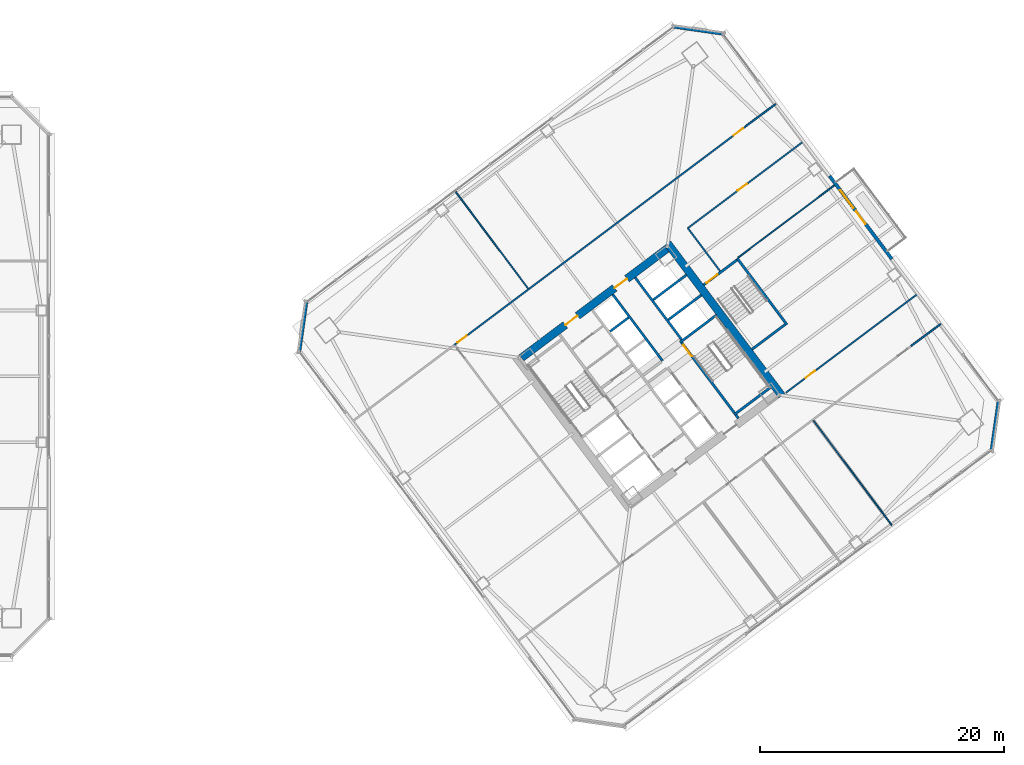
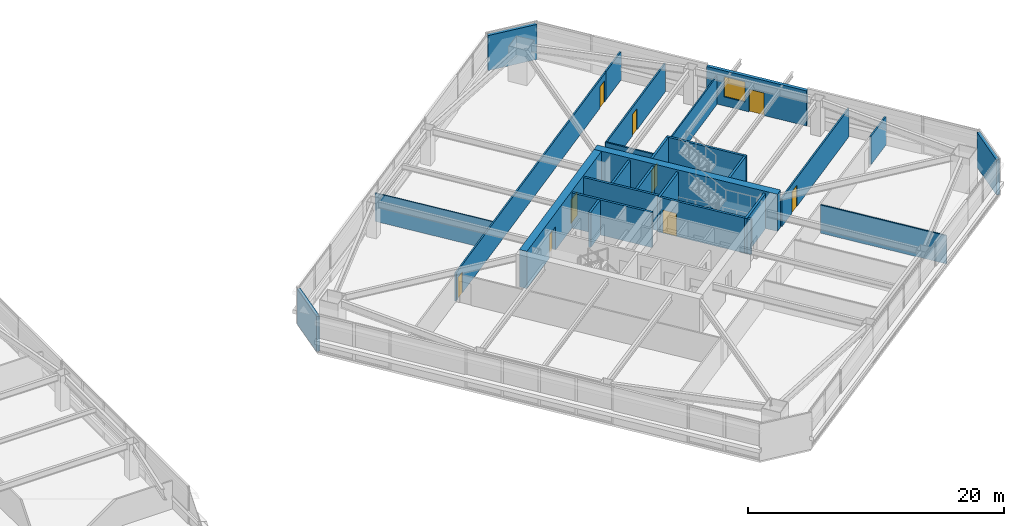
# One storey, part 38 of 47: 26 walls, 9 doors, 1 window, 10 openings.
"""IFC4 building model written with IfcOpenShell, lengths in metres."""

import ifcopenshell
import ifcopenshell.guid

model = None  # the IFC model being written
_history = None  # IfcOwnerHistory: only IFC2X3 demands one
_inside = {}  # id of a spatial element -> (the spatial element, [elements in it])
_under = {}  # id of a project, library or spatial element -> (it, [spatial elements below it])
_declared = {}  # id of a project -> (the project, [libraries it declares])
_typed = {}  # id of a type object -> (the type object, [elements of that type])
_made_of = {}  # id of a material, layer set ... -> (it, [elements and type objects made of it])


def new_model(schema):
    """Start an empty IFC model of exactly this schema.

    Asked for "IFC4X3", IfcOpenShell would pick the latest addendum, in which some entities
    have other attributes; the version numbers below select the first issue.
    IFC2X3 requires an IfcOwnerHistory on every rooted entity: one is made here for all.
    """
    global model, _history
    if schema == "IFC4X3":
        model = ifcopenshell.file(schema_version=(4, 3, 0, 0))
    else:
        model = ifcopenshell.file(schema=schema)
    _inside.clear()
    _under.clear()
    _declared.clear()
    _typed.clear()
    _made_of.clear()
    _history = None
    if model.schema == "IFC2X3":
        org = make("IfcOrganization", Name="unknown")
        user = make(
            "IfcPersonAndOrganization",
            ThePerson=make("IfcPerson", FamilyName="unknown"),
            TheOrganization=org,
        )
        app = make(
            "IfcApplication",
            ApplicationDeveloper=org,
            Version="unknown",
            ApplicationFullName="unknown",
            ApplicationIdentifier="unknown",
        )
        _history = make(
            "IfcOwnerHistory",
            OwningUser=user,
            OwningApplication=app,
            ChangeAction="ADDED",
            CreationDate=0,
        )
    return model


def make(cls, **values):
    """One entity of the class cls with the attributes given. An attribute that is None is left unset."""
    return model.create_entity(
        cls, **{name: value for name, value in values.items() if value is not None}
    )


def rooted(cls, **values):
    """An entity with a GlobalId (a new one), such as an element, a storey or a relation."""
    return make(cls, GlobalId=ifcopenshell.guid.new(), OwnerHistory=_history, **values)


def si_unit(unit_type, name, prefix=None):
    """IfcSIUnit, for example si_unit("LENGTHUNIT", "METRE", prefix="MILLI")."""
    return make("IfcSIUnit", UnitType=unit_type, Prefix=prefix, Name=name)


def assignment(units):
    """IfcUnitAssignment: the units of a project."""
    return None if units is None else make("IfcUnitAssignment", Units=units)


def point(xyz):
    """IfcCartesianPoint."""
    return None if xyz is None else make("IfcCartesianPoint", Coordinates=xyz)


def direction(xyz):
    """IfcDirection."""
    return None if xyz is None else make("IfcDirection", DirectionRatios=xyz)


def frame(location, z_axis=None, x_axis=None):
    """IfcAxis2Placement3D, a coordinate frame: its origin and axes. An axis left out is left unset."""
    return make(
        "IfcAxis2Placement3D",
        Location=point(location),
        Axis=direction(z_axis),
        RefDirection=direction(x_axis),
    )


def frame_2d(location, x_axis=None):
    """IfcAxis2Placement2D, a coordinate frame in the plane: its origin and x axis."""
    return make(
        "IfcAxis2Placement2D", Location=point(location), RefDirection=direction(x_axis)
    )


def origin():
    """The frame at (0, 0, 0) with its axes left unset."""
    return frame((0.0, 0.0, 0.0))


def place(relative_to, where):
    """IfcLocalPlacement: puts the frame where relative to a parent placement (None: the world)."""
    return make(
        "IfcLocalPlacement", PlacementRelTo=relative_to, RelativePlacement=where
    )


def context(
    kind, dimensions, precision=None, world=None, true_north=None, identifier=None
):
    """IfcGeometricRepresentationContext, for example the 3D "Model" context."""
    return make(
        "IfcGeometricRepresentationContext",
        ContextIdentifier=identifier,
        ContextType=kind,
        CoordinateSpaceDimension=dimensions,
        Precision=precision,
        WorldCoordinateSystem=world,
        TrueNorth=true_north,
    )


def subcontext(parent, identifier, kind, view, scale=None):
    """IfcGeometricRepresentationSubContext, for example "Body" below "Model"."""
    return make(
        "IfcGeometricRepresentationSubContext",
        ContextIdentifier=identifier,
        ContextType=kind,
        ParentContext=parent,
        TargetScale=scale,
        TargetView=view,
    )


def project(units=None, contexts=None):
    """IfcProject with its units and contexts."""
    return rooted(
        "IfcProject",
        Name="project",
        RepresentationContexts=contexts,
        UnitsInContext=assignment(units),
    )


def spatial(cls, under=None, at=None, **own):
    """A site, building, storey or space (cls), placed at a placement, below another one or the project."""
    s = rooted(cls, ObjectPlacement=at, **own)
    if under is not None:
        _under.setdefault(under.id(), (under, []))[1].append(s)
    return s


def profile(cls, at=None, kind="AREA", **sizes):
    """A parametric profile (cls). Its sizes go by their IFC names, for example OverallWidth=200.0."""
    return make(cls, ProfileType=kind, Position=at, **sizes)


def rectangle(**sizes):
    """IfcRectangleProfileDef."""
    return profile("IfcRectangleProfileDef", **sizes)


def extrude(swept, where, along, depth):
    """IfcExtrudedAreaSolid: the profile swept, set in the frame where, extruded along a direction by depth."""
    return make(
        "IfcExtrudedAreaSolid",
        SweptArea=swept,
        Position=where,
        ExtrudedDirection=direction(along),
        Depth=depth,
    )


def shape(context_of_items, identifier, shape_type, items):
    """IfcShapeRepresentation: the items that make up one representation, for example the "Body"."""
    return make(
        "IfcShapeRepresentation",
        ContextOfItems=context_of_items,
        RepresentationIdentifier=identifier,
        RepresentationType=shape_type,
        Items=items,
    )


def material(Name=None, Category=None):
    """IfcMaterial."""
    return make("IfcMaterial", Name=Name, Category=Category)


def layer(
    of_material, thickness, ventilated=None, Name=None, Category=None, Priority=None
):
    """IfcMaterialLayer: one layer of a wall or slab, of a material (None: an air gap)."""
    return make(
        "IfcMaterialLayer",
        Material=of_material,
        LayerThickness=thickness,
        IsVentilated=ventilated,
        Name=Name,
        Category=Category,
        Priority=Priority,
    )


def layer_set(layers, Name=None):
    """IfcMaterialLayerSet."""
    return make("IfcMaterialLayerSet", MaterialLayers=layers, LayerSetName=Name)


def made_of(thing, what):
    """Note that an element or type object is made of a material, layer set ...; save() writes the relation."""
    if what is not None:
        _made_of.setdefault(what.id(), (what, []))[1].append(thing)
    return thing


def type_object(cls, material=None, **own):
    """A type object (cls), such as IfcWallType, which elements share."""
    return made_of(rooted(cls, **own), material)


def element(
    cls,
    number,
    at=None,
    inside=None,
    cuts=None,
    type_object=None,
    material=None,
    context=None,
    identifier="Body",
    shape_type=None,
    held_by="IfcProductDefinitionShape",
    body=None,
    shapes=None,
    **own,
):
    """One element of the class cls, such as IfcWall. Its Tag is "e" and its number.

    at: its placement. inside: the storey or other place that contains it. cuts: it is an
    opening in that element (IfcRelVoidsElement). A single representation is given by context,
    identifier, shape_type and body (its items); several are given by shapes. held_by: the class
    of the entity that holds the representations. save() writes the other relations.
    """
    e = rooted(cls, Tag="e%d" % number, ObjectPlacement=at, **own)
    if body is not None:
        shapes = [shape(context, identifier, shape_type, body)]
    if shapes is not None:
        e.Representation = make(held_by, Representations=shapes)
    if inside is not None:
        _inside.setdefault(inside.id(), (inside, []))[1].append(e)
    if cuts is not None:
        rooted(
            "IfcRelVoidsElement", RelatingBuildingElement=cuts, RelatedOpeningElement=e
        )
    if type_object is not None:
        _typed.setdefault(type_object.id(), (type_object, []))[1].append(e)
    return made_of(e, material)


def fill(opening, filler):
    """IfcRelFillsElement: the door or window that sits in an opening."""
    return rooted(
        "IfcRelFillsElement",
        RelatingOpeningElement=opening,
        RelatedBuildingElement=filler,
    )


def aggregate(whole, parts):
    """IfcRelAggregates: a whole, such as a stair, and the parts it consists of."""
    return rooted("IfcRelAggregates", RelatingObject=whole, RelatedObjects=parts)


def save(model, path):
    """Write the relations noted so far, then the file.

    IfcRelAggregates (storeys below a building ...), IfcRelContainedInSpatialStructure (elements
    in a storey), IfcRelDefinesByType, IfcRelAssociatesMaterial and IfcRelDeclares: one each for
    every whole, place, type object, material and project.
    """
    for whole, parts in _under.values():
        aggregate(whole, parts)
    for where, things in _inside.values():
        rooted(
            "IfcRelContainedInSpatialStructure",
            RelatedElements=things,
            RelatingStructure=where,
        )
    for kind, things in _typed.values():
        rooted("IfcRelDefinesByType", RelatedObjects=things, RelatingType=kind)
    for what, things in _made_of.values():
        rooted("IfcRelAssociatesMaterial", RelatedObjects=things, RelatingMaterial=what)
    for by, libraries in _declared.values():
        rooted("IfcRelDeclares", RelatingContext=by, RelatedDefinitions=libraries)
    model.write(path)


model = new_model("IFC4")

# Units and contexts
model_context = context("Model", 3, precision=1e-05, world=origin(), true_north=direction((0.0, 1.0)))
body_context = subcontext(model_context, "Body", "Model", "MODEL_VIEW")
ifc_project = project(units=[si_unit("LENGTHUNIT", "METRE"), si_unit("AREAUNIT", "SQUARE_METRE"), si_unit("VOLUMEUNIT", "CUBIC_METRE"), si_unit("PLANEANGLEUNIT", "RADIAN"), si_unit("MASSUNIT", "GRAM", prefix="KILO")], contexts=[model_context])

# Site, building, storey
site_placement = place(None, origin())
site = spatial("IfcSite", under=ifc_project, at=site_placement, CompositionType="ELEMENT")
building_placement = place(site_placement, origin())
building = spatial("IfcBuilding", under=site, at=building_placement, Name="Tashvorn Skyway Center", CompositionType="ELEMENT")
storey_placement = place(building_placement, frame((0.0, 0.0, 42.35009765625)))
storey = spatial("IfcBuildingStorey", under=building, at=storey_placement, Name="L10", CompositionType="ELEMENT", Elevation=42.35009765625)

# Wall
ifc_material_1 = material(Name="Concrete C60/75", Category="concrete")
ifc_layer_1 = layer(ifc_material_1, 0.64990234375)
ifc_layer_set_1 = layer_set([ifc_layer_1], Name="Concrete C60/75")
wall_type_1 = type_object("IfcWallType", Name="WALL-CORE-650", PredefinedType="SHEAR", material=ifc_layer_set_1)
wall_1_placement = place(storey_placement, frame((115.52392578125, 42.89306640625, 0.0), z_axis=(0.0, 0.0, 1.0), x_axis=(0.600005007985, -0.799996243986, 0.0)))
element("IfcWall", 1, at=wall_1_placement, inside=storey, type_object=wall_type_1, Name="Tower 2 L10 East Core Shear Wall", PredefinedType="SHEAR", context=body_context, shape_type="SweptSolid", body=[
    extrude(rectangle(XDim=15.60009765625, YDim=0.64990234375, at=frame_2d((7.800048828125, 0.0))), origin(), (0.0, 0.0, 1.0), 3.5498046875),
])

# Wall, openings, doors
wall_2_placement = place(storey_placement, frame((103.571044921875, 33.52197265625, 0.0), z_axis=(0.0, 0.0, 1.0), x_axis=(0.799998028465, 0.600002628705, 0.0)))
wall_2 = element("IfcWall", 2, at=wall_2_placement, inside=storey, type_object=wall_type_1, Name="Tower 2 L10 North Core Shear Wall", PredefinedType="SHEAR", context=body_context, shape_type="SweptSolid", body=[
    extrude(rectangle(XDim=14.85986328125, YDim=0.64990234375, at=frame_2d((7.429931640625, 0.0))), origin(), (0.0, 0.0, 1.0), 3.5498046875),
])
opening_1_placement = place(wall_2_placement, frame((4.47998046875, 0.0, 0.0)))
opening_1 = element("IfcOpeningElement", 3, at=opening_1_placement, cuts=wall_2, Name="Opening D-FFL-1250", PredefinedType="OPENING", context=body_context, shape_type="SweptSolid", body=[
    extrude(rectangle(XDim=1.25, YDim=2.25, at=frame_2d((0.625, 1.125))), frame((0.0, 0.3349609375, 0.0), z_axis=(0.0, -1.0, 0.0), x_axis=(1.0, 0.0, 0.0)), (0.0, 0.0, 1.0), 0.669921875),
])
opening_2_placement = place(wall_2_placement, frame((9.530029296875, 0.0, 0.0)))
opening_2 = element("IfcOpeningElement", 4, at=opening_2_placement, cuts=wall_2, Name="Opening D-FFL-1250", PredefinedType="OPENING", context=body_context, shape_type="SweptSolid", body=[
    extrude(rectangle(XDim=1.25, YDim=2.25, at=frame_2d((0.625, 1.125))), frame((0.0, 0.3349609375, 0.0), z_axis=(0.0, -1.0, 0.0), x_axis=(1.0, 0.0, 0.0)), (0.0, 0.0, 1.0), 0.669921875),
])
ifc_material_2 = material(Name="Hollow galvanized steel fire door assembly", Category="steel")
door_type_1 = type_object("IfcDoorType", Name="DOOR-FFL-1250", OperationType="NOTDEFINED", PredefinedType="DOOR", material=ifc_material_2)
door_1_placement = place(opening_1_placement, origin())
door_1 = element("IfcDoor", 5, at=door_1_placement, inside=storey, type_object=door_type_1, Name="Tower 2 L10 Core North Service Lobby Door", OperationType="SINGLE_SWING_LEFT", OverallHeight=2.25, OverallWidth=1.25, PredefinedType="DOOR", context=body_context, shape_type="SweptSolid", body=[
    extrude(rectangle(XDim=1.25, YDim=2.25, at=frame_2d((0.625, 1.125))), frame((0.0, 0.02490234375, 0.0), z_axis=(0.0, -1.0, 0.0), x_axis=(1.0, 0.0, 0.0)), (0.0, 0.0, 1.0), 0.050048828125),
])
fill(opening_1, door_1)
door_2_placement = place(opening_2_placement, origin())
door_2 = element("IfcDoor", 6, at=door_2_placement, inside=storey, type_object=door_type_1, Name="Tower 2 L10 Core North Lift Lobby Door", OperationType="SINGLE_SWING_RIGHT", OverallHeight=2.25, OverallWidth=1.25, PredefinedType="DOOR", context=body_context, shape_type="SweptSolid", body=[
    extrude(rectangle(XDim=1.25, YDim=2.25, at=frame_2d((0.625, 1.125))), frame((0.0, 0.02490234375, 0.0), z_axis=(0.0, -1.0, 0.0), x_axis=(1.0, 0.0, 0.0)), (0.0, 0.0, 1.0), 0.050048828125),
])
fill(opening_2, door_2)

# Wall, openings, door, window
ifc_material_3 = material(Name="Precast concrete C40/50", Category="concrete")
ifc_layer_2 = layer(ifc_material_3, 0.280029296875)
ifc_layer_set_2 = layer_set([ifc_layer_2], Name="Precast concrete C40/50")
wall_type_2 = type_object("IfcWallType", Name="WALL-EXT-280", PredefinedType="SOLIDWALL", material=ifc_layer_set_2)
wall_3_placement = place(storey_placement, frame((128.7939453125, 48.407958984375, 0.0), z_axis=(0.0, 0.0, 1.0), x_axis=(0.600004595526, -0.799996553335, 0.0)))
wall_3 = element("IfcWall", 7, at=wall_3_placement, inside=storey, type_object=wall_type_2, Name="Tower 2 L10 East Terrace Portal Wall", PredefinedType="SOLIDWALL", context=body_context, shape_type="SweptSolid", body=[
    extrude(rectangle(XDim=8.5, YDim=0.280029296875, at=frame_2d((4.25, 0.0))), origin(), (0.0, 0.0, 1.0), 3.349853515625),
])
opening_3_placement = place(wall_3_placement, frame((3.60009765625, 0.0, 0.0)))
opening_3 = element("IfcOpeningElement", 8, at=opening_3_placement, cuts=wall_3, Name="Opening D-TER-1300", PredefinedType="OPENING", context=body_context, shape_type="SweptSolid", body=[
    extrude(rectangle(XDim=1.300048828125, YDim=2.14990234375, at=frame_2d((0.64990234375, 1.074951171875))), frame((0.0, 0.14990234375, 0.0), z_axis=(0.0, -1.0, 0.0), x_axis=(1.0, 0.0, 0.0)), (0.0, 0.0, 1.0), 0.300048828125),
])
opening_4_placement = place(wall_3_placement, frame((1.4599609375, 0.0, 0.85009765625)))
opening_4 = element("IfcOpeningElement", 9, at=opening_4_placement, cuts=wall_3, Name="Opening WIN-1800", PredefinedType="OPENING", context=body_context, shape_type="SweptSolid", body=[
    extrude(rectangle(XDim=1.800048828125, YDim=1.919921875, at=frame_2d((0.89990234375, 0.9599609375))), frame((0.0, 0.14990234375, 0.0), z_axis=(0.0, -1.0, 0.0), x_axis=(1.0, 0.0, 0.0)), (0.0, 0.0, 1.0), 0.300048828125),
])
ifc_material_4 = material(Name="Thermally broken bronze-anodized aluminium 6063-T6", Category="aluminium")
door_type_2 = type_object("IfcDoorType", Name="DOOR-TERR-1300", OperationType="NOTDEFINED", PredefinedType="DOOR", material=ifc_material_4)
door_3_placement = place(opening_3_placement, origin())
door_3 = element("IfcDoor", 10, at=door_3_placement, inside=storey, type_object=door_type_2, Name="Tower 2 L10 Terrace Access Door", OperationType="SINGLE_SWING_LEFT", OverallHeight=2.14990234375, OverallWidth=1.300048828125, PredefinedType="DOOR", context=body_context, shape_type="SweptSolid", body=[
    extrude(rectangle(XDim=1.300048828125, YDim=2.14990234375, at=frame_2d((0.64990234375, 1.074951171875))), frame((0.0, 0.02490234375, 0.0), z_axis=(0.0, -1.0, 0.0), x_axis=(1.0, 0.0, 0.0)), (0.0, 0.0, 1.0), 0.050048828125),
])
fill(opening_3, door_3)
ifc_material_5 = material(Name="Low-E solar-control double insulating safety glass", Category="glass")
window_type = type_object("IfcWindowType", Name="WIN-TERR-1800", PartitioningType="SINGLE_PANEL", PredefinedType="WINDOW", material=ifc_material_5)
window_placement = place(opening_4_placement, origin())
window = element("IfcWindow", 11, at=window_placement, inside=storey, type_object=window_type, Name="Tower 2 L10 Terrace Window", OverallHeight=1.919921875, OverallWidth=1.800048828125, PartitioningType="SINGLE_PANEL", PredefinedType="WINDOW", context=body_context, shape_type="SweptSolid", body=[
    extrude(rectangle(XDim=1.800048828125, YDim=1.919921875, at=frame_2d((0.89990234375, 0.9599609375))), frame((0.0, 0.030029296875, 0.0), z_axis=(0.0, -1.0, 0.0), x_axis=(1.0, 0.0, 0.0)), (0.0, 0.0, 1.0), 0.06005859375),
])
fill(opening_4, window)

# Walls
for number, where, z_axis, x_axis, name in (
    (12, (85.360107421875, 34.02001953125, 0.0), (0.0, 0.0, 1.0), (0.14137968631, 0.989955445613, 0.0), "Tower 2 L10 NW Precast Chamfer Wall"),
    (13, (116.02001953125, 60.639892578125, 0.0), (0.0, 0.0, 1.0), (0.989955445613, -0.14137968631, 0.0), "Tower 2 L10 NE Precast Chamfer Wall"),
    (14, (142.639892578125, 29.97998046875, 0.0), (0.0, 0.0, 1.0), (-0.14137968631, -0.989955445613, 0.0), "Tower 2 L10 SE Precast Chamfer Wall"),
):
    element("IfcWall", number, at=place(storey_placement, frame(where, z_axis=z_axis, x_axis=x_axis)), inside=storey, type_object=wall_type_2, Name=name, PredefinedType="SOLIDWALL", context=body_context, shape_type="SweptSolid", body=[
        extrude(rectangle(XDim=4.101318359375, YDim=0.280029296875, at=frame_2d((2.05078125, 0.0))), origin(), (0.0, 0.0, 1.0), 3.349853515625),
    ])
ifc_material_6 = material(Name="Gypsum board on cold-formed steel stud framing", Category="steel")
ifc_layer_3 = layer(ifc_material_6, 0.110107421875)
ifc_layer_set_3 = layer_set([ifc_layer_3], Name="Gypsum board on cold-formed steel stud framing")
wall_type_3 = type_object("IfcWallType", Name="WALL-PART-110", PredefinedType="PARTITIONING", material=ifc_layer_set_3)
wall_4_placement = place(storey_placement, frame((104.10009765625, 39.199951171875, 0.0), z_axis=(0.0, 0.0, 1.0), x_axis=(-0.599996085964, 0.800002935512, 0.0)))
element("IfcWall", 15, at=wall_4_placement, inside=storey, type_object=wall_type_3, Name="Tower 2 L10 North Suite Partition 1", PredefinedType="PARTITIONING", context=body_context, shape_type="SweptSolid", body=[
    extrude(rectangle(XDim=9.980224609375, YDim=0.110107421875, at=frame_2d((4.990234375, 0.0))), origin(), (0.0, 0.0, 1.0), 2.702880859375),
])
wall_5_placement = place(storey_placement, frame((133.887939453125, 19.81591796875, 0.0), z_axis=(0.0, 0.0, 1.0), x_axis=(-0.599992698573, 0.800005476018, 0.0)))
element("IfcWall", 16, at=wall_5_placement, inside=storey, type_object=wall_type_3, Name="Tower 2 L10 South Suite Partition 3", PredefinedType="PARTITIONING", context=body_context, shape_type="SweptSolid", body=[
    extrude(rectangle(XDim=10.699951171875, YDim=0.110107421875, at=frame_2d((5.35009765625, 0.0))), origin(), (0.0, 0.0, 1.0), 2.702880859375),
])
wall_6_placement = place(storey_placement, frame((129.18408203125, 47.637939453125, 0.0), z_axis=(0.0, 0.0, 1.0), x_axis=(-0.800008922773, -0.599988102785, 0.0)))
element("IfcWall", 17, at=wall_6_placement, inside=storey, type_object=wall_type_3, Name="Tower 2 L10 East Suite Partition 1", PredefinedType="PARTITIONING", context=body_context, shape_type="SweptSolid", body=[
    extrude(rectangle(XDim=9.85009765625, YDim=0.110107421875, at=frame_2d((4.925048828125, 0.0))), origin(), (0.0, 0.0, 1.0), 2.702880859375),
])
ifc_layer_4 = layer(ifc_material_6, 0.135009765625)
ifc_layer_set_4 = layer_set([ifc_layer_4], Name="Gypsum board on cold-formed steel stud framing")
wall_type_4 = type_object("IfcWallType", Name="WALL-PART-135", PredefinedType="PARTITIONING", material=ifc_layer_set_4)
wall_7_placement = place(storey_placement, frame((119.823974609375, 40.617919921875, 0.0), z_axis=(0.0, 0.0, 1.0), x_axis=(-0.599982243973, 0.800013316712, 0.0)))
element("IfcWall", 18, at=wall_7_placement, inside=storey, type_object=wall_type_4, Name="Tower 2 L10 Stair 3 Access Corridor Wall", PredefinedType="PARTITIONING", context=body_context, shape_type="SweptSolid", body=[
    extrude(rectangle(XDim=4.39990234375, YDim=0.135009765625, at=frame_2d((2.199951171875, 0.0))), origin(), (0.0, 0.0, 1.0), 2.702880859375),
])

# Wall, openings, doors
wall_8_placement = place(storey_placement, frame((98.083984375, 34.587890625, 0.0), z_axis=(0.0, 0.0, 1.0), x_axis=(0.799997053619, 0.600003928488, 0.0)))
wall_8 = element("IfcWall", 19, at=wall_8_placement, inside=storey, type_object=wall_type_4, Name="Tower 2 L10 North Suite Wall", PredefinedType="PARTITIONING", context=body_context, shape_type="SweptSolid", body=[
    extrude(rectangle(XDim=29.830078125, YDim=0.135009765625, at=frame_2d((14.9150390625, 0.0))), origin(), (0.0, 0.0, 1.0), 2.702880859375),
])
opening_5_placement = place(wall_8_placement, frame((0.300048828125, 0.0, 0.0)))
opening_5 = element("IfcOpeningElement", 20, at=opening_5_placement, cuts=wall_8, Name="Opening D-INT-950", PredefinedType="OPENING", context=body_context, shape_type="SweptSolid", body=[
    extrude(rectangle(XDim=0.949951171875, YDim=2.050048828125, at=frame_2d((0.47509765625, 1.02490234375))), frame((0.0, 0.077392578125, 0.0), z_axis=(0.0, -1.0, 0.0), x_axis=(1.0, 0.0, 0.0)), (0.0, 0.0, 1.0), 0.155029296875),
])
opening_6_placement = place(wall_8_placement, frame((28.580078125, 0.0, 0.0)))
opening_6 = element("IfcOpeningElement", 21, at=opening_6_placement, cuts=wall_8, Name="Opening D-INT-950", PredefinedType="OPENING", context=body_context, shape_type="SweptSolid", body=[
    extrude(rectangle(XDim=0.949951171875, YDim=2.050048828125, at=frame_2d((0.47509765625, 1.02490234375))), frame((0.0, 0.077392578125, 0.0), z_axis=(0.0, -1.0, 0.0), x_axis=(1.0, 0.0, 0.0)), (0.0, 0.0, 1.0), 0.155029296875),
])
ifc_material_7 = material(Name="Solid-core architectural oak veneer door")
door_type_3 = type_object("IfcDoorType", Name="DOOR-INT-950", OperationType="NOTDEFINED", PredefinedType="DOOR", material=ifc_material_7)
door_4_placement = place(opening_5_placement, origin())
door_4 = element("IfcDoor", 22, at=door_4_placement, inside=storey, type_object=door_type_3, Name="Tower 2 L10 Executive Study Lounge Door", OperationType="SINGLE_SWING_RIGHT", OverallHeight=2.050048828125, OverallWidth=0.949951171875, PredefinedType="DOOR", context=body_context, shape_type="SweptSolid", body=[
    extrude(rectangle(XDim=0.949951171875, YDim=2.050048828125, at=frame_2d((0.47509765625, 1.02490234375))), frame((0.0, 0.02490234375, 0.0), z_axis=(0.0, -1.0, 0.0), x_axis=(1.0, 0.0, 0.0)), (0.0, 0.0, 1.0), 0.050048828125),
])
fill(opening_5, door_4)
door_5_placement = place(opening_6_placement, origin())
door_5 = element("IfcDoor", 23, at=door_5_placement, inside=storey, type_object=door_type_3, Name="Tower 2 L10 Executive Study Lounge Door", OperationType="SINGLE_SWING_LEFT", OverallHeight=2.050048828125, OverallWidth=0.949951171875, PredefinedType="DOOR", context=body_context, shape_type="SweptSolid", body=[
    extrude(rectangle(XDim=0.949951171875, YDim=2.050048828125, at=frame_2d((0.47509765625, 1.02490234375))), frame((0.0, 0.02490234375, 0.0), z_axis=(0.0, -1.0, 0.0), x_axis=(1.0, 0.0, 0.0)), (0.0, 0.0, 1.0), 0.050048828125),
])
fill(opening_6, door_5)

# Walls
for number, where, z_axis, x_axis, name in (
    (24, (121.947998046875, 52.486083984375, 0.0), (0.0, 0.0, 1.0), (0.800029006059, 0.599961323307, 0.0), "Tower 2 L10 North-East Suite South Wall"),
    (25, (135.4599609375, 34.469970703125, 0.0), (0.0, 0.0, 1.0), (0.799990331366, 0.600012891296, 0.0), "Tower 2 L10 South-East Suite North Wall"),
):
    element("IfcWall", number, at=place(storey_placement, frame(where, z_axis=z_axis, x_axis=x_axis)), inside=storey, type_object=wall_type_4, Name=name, PredefinedType="PARTITIONING", context=body_context, shape_type="SweptSolid", body=[
        extrude(rectangle(XDim=3.030029296875, YDim=0.135009765625, at=frame_2d((1.51513671875, 0.0))), origin(), (0.0, 0.0, 1.0), 2.702880859375),
    ])

# Wall, opening, door
wall_9_placement = place(storey_placement, frame((126.5439453125, 51.157958984375, 0.0), z_axis=(0.0, 0.0, 1.0), x_axis=(-0.799994991918, -0.600006677385, 0.0)))
wall_9 = element("IfcWall", 26, at=wall_9_placement, inside=storey, type_object=wall_type_4, Name="Tower 2 L10 East Suite North Wall", PredefinedType="PARTITIONING", context=body_context, shape_type="SweptSolid", body=[
    extrude(rectangle(XDim=11.699951171875, YDim=0.135009765625, at=frame_2d((5.85009765625, 0.0))), origin(), (0.0, 0.0, 1.0), 2.702880859375),
])
opening_7_placement = place(wall_9_placement, frame((5.64990234375, 0.0, 0.0)))
opening_7 = element("IfcOpeningElement", 27, at=opening_7_placement, cuts=wall_9, Name="Opening D-INT-950", PredefinedType="OPENING", context=body_context, shape_type="SweptSolid", body=[
    extrude(rectangle(XDim=0.949951171875, YDim=2.050048828125, at=frame_2d((0.47509765625, 1.02490234375))), frame((0.0, 0.077392578125, 0.0), z_axis=(0.0, -1.0, 0.0), x_axis=(1.0, 0.0, 0.0)), (0.0, 0.0, 1.0), 0.155029296875),
])
door_6_placement = place(opening_7_placement, origin())
door_6 = element("IfcDoor", 28, at=door_6_placement, inside=storey, type_object=door_type_3, Name="Tower 2 L10 Open Plan Office Door", OperationType="SINGLE_SWING_RIGHT", OverallHeight=2.050048828125, OverallWidth=0.949951171875, PredefinedType="DOOR", context=body_context, shape_type="SweptSolid", body=[
    extrude(rectangle(XDim=0.949951171875, YDim=2.050048828125, at=frame_2d((0.47509765625, 1.02490234375))), frame((0.0, 0.02490234375, 0.0), z_axis=(0.0, -1.0, 0.0), x_axis=(1.0, 0.0, 0.0)), (0.0, 0.0, 1.0), 0.050048828125),
])
fill(opening_7, door_6)

wall_10_placement = place(storey_placement, frame((125.2080078125, 30.656005859375, 0.0), z_axis=(0.0, 0.0, 1.0), x_axis=(0.800002191231, 0.599997078347, 0.0)))
wall_10 = element("IfcWall", 29, at=wall_10_placement, inside=storey, type_object=wall_type_4, Name="Tower 2 L10 East Suite South Wall", PredefinedType="PARTITIONING", context=body_context, shape_type="SweptSolid", body=[
    extrude(rectangle(XDim=13.3701171875, YDim=0.135009765625, at=frame_2d((6.68505859375, 0.0))), origin(), (0.0, 0.0, 1.0), 2.702880859375),
])
opening_8_placement = place(wall_10_placement, frame((2.044921875, 0.0, 0.0)))
opening_8 = element("IfcOpeningElement", 30, at=opening_8_placement, cuts=wall_10, Name="Opening D-INT-950", PredefinedType="OPENING", context=body_context, shape_type="SweptSolid", body=[
    extrude(rectangle(XDim=0.949951171875, YDim=2.050048828125, at=frame_2d((0.47509765625, 1.02490234375))), frame((0.0, 0.077392578125, 0.0), z_axis=(0.0, -1.0, 0.0), x_axis=(1.0, 0.0, 0.0)), (0.0, 0.0, 1.0), 0.155029296875),
])
door_7_placement = place(opening_8_placement, origin())
door_7 = element("IfcDoor", 31, at=door_7_placement, inside=storey, type_object=door_type_3, Name="Tower 2 L10 Public Restroom Door", OperationType="SINGLE_SWING_LEFT", OverallHeight=2.050048828125, OverallWidth=0.949951171875, PredefinedType="DOOR", context=body_context, shape_type="SweptSolid", body=[
    extrude(rectangle(XDim=0.949951171875, YDim=2.050048828125, at=frame_2d((0.47509765625, 1.02490234375))), frame((0.0, 0.02490234375, 0.0), z_axis=(0.0, -1.0, 0.0), x_axis=(1.0, 0.0, 0.0)), (0.0, 0.0, 1.0), 0.050048828125),
])
fill(opening_8, door_7)

# Walls
ifc_material_8 = material(Name="Concrete C40/50", Category="concrete")
ifc_layer_5 = layer(ifc_material_8, 0.199951171875)
ifc_layer_set_5 = layer_set([ifc_layer_5], Name="Concrete C40/50")
wall_type_5 = type_object("IfcWallType", Name="WALL-SHAFT-200", PredefinedType="SOLIDWALL", material=ifc_layer_set_5)
for number, where, z_axis, x_axis, name in (
    (32, (115.590087890625, 36.6298828125, 0.0), (0.0, 0.0, 1.0), (0.799973995579, 0.600034670996, 0.0), "Tower 2 L10 High-Rise Shaft Divider"),
    (33, (114.360107421875, 38.27001953125, 0.0), (0.0, 0.0, 1.0), (0.799973995579, 0.600034670996, 0.0), "Tower 2 L10 High-Rise Shaft Divider"),
):
    element("IfcWall", number, at=place(storey_placement, frame(where, z_axis=z_axis, x_axis=x_axis)), inside=storey, type_object=wall_type_5, Name=name, PredefinedType="SOLIDWALL", context=body_context, shape_type="SweptSolid", body=[
        extrude(rectangle(XDim=3.3798828125, YDim=0.199951171875, at=frame_2d((1.68994140625, 0.0))), origin(), (0.0, 0.0, 1.0), 3.349853515625),
    ])
wall_11_placement = place(storey_placement, frame((115.110107421875, 33.27001953125, 0.0), z_axis=(0.0, 0.0, 1.0), x_axis=(-0.600011488909, 0.79999138319, 0.0)))
element("IfcWall", 34, at=wall_11_placement, inside=storey, type_object=wall_type_5, Name="Tower 2 L10 Mid-Rise Core Wall", PredefinedType="SOLIDWALL", context=body_context, shape_type="SweptSolid", body=[
    extrude(rectangle(XDim=6.800048828125, YDim=0.199951171875, at=frame_2d((3.39990234375, 0.0))), origin(), (0.0, 0.0, 1.0), 3.349853515625),
])
wall_12_placement = place(storey_placement, frame((110.825927734375, 35.681884765625, 0.0), z_axis=(0.0, 0.0, 1.0), x_axis=(0.799984418148, 0.600020775241, 0.0)))
element("IfcWall", 35, at=wall_12_placement, inside=storey, type_object=wall_type_5, Name="Tower 2 L10 Mid-Rise Shaft Divider", PredefinedType="SOLIDWALL", context=body_context, shape_type="SweptSolid", body=[
    extrude(rectangle(XDim=1.880126953125, YDim=0.199951171875, at=frame_2d((0.93994140625, 0.0))), origin(), (0.0, 0.0, 1.0), 3.349853515625),
])

# Wall, opening, door
ifc_layer_6 = layer(ifc_material_8, 0.199951171875)
ifc_layer_set_6 = layer_set([ifc_layer_6], Name="Concrete C40/50")
wall_type_6 = type_object("IfcWallType", Name="WALL-STSHF-200", PredefinedType="SHEAR", material=ifc_layer_set_6)
wall_13_placement = place(storey_placement, frame((116.56005859375, 34.919921875, 0.0), z_axis=(0.0, 0.0, 1.0), x_axis=(0.600009827119, -0.799992629566, 0.0)))
wall_13 = element("IfcWall", 36, at=wall_13_placement, inside=storey, type_object=wall_type_6, Name="Tower 2 L10 Stair 2 Enclosure Wall", PredefinedType="SHEAR", context=body_context, shape_type="SweptSolid", body=[
    extrude(rectangle(XDim=7.949951171875, YDim=0.199951171875, at=frame_2d((3.97509765625, 0.0))), origin(), (0.0, 0.0, 1.0), 3.349853515625),
])
opening_9_placement = place(wall_13_placement, frame((0.449951171875, 0.0, 0.0)))
opening_9 = element("IfcOpeningElement", 37, at=opening_9_placement, cuts=wall_13, Name="Opening D-ST-1150", PredefinedType="OPENING", context=body_context, shape_type="SweptSolid", body=[
    extrude(rectangle(XDim=1.14990234375, YDim=2.199951171875, at=frame_2d((0.574951171875, 1.10009765625))), frame((0.0, 0.10986328125, 0.0), z_axis=(0.0, -1.0, 0.0), x_axis=(1.0, 0.0, 0.0)), (0.0, 0.0, 1.0), 0.219970703125),
])
door_type_4 = type_object("IfcDoorType", Name="DOOR-STAIR-1150", OperationType="NOTDEFINED", PredefinedType="DOOR", material=ifc_material_2)
door_8_placement = place(opening_9_placement, origin())
door_8 = element("IfcDoor", 38, at=door_8_placement, inside=storey, type_object=door_type_4, Name="Tower 2 L10 Exit Stair 2 Door", OperationType="SINGLE_SWING_RIGHT", OverallHeight=2.199951171875, OverallWidth=1.14990234375, PredefinedType="DOOR", context=body_context, shape_type="SweptSolid", body=[
    extrude(rectangle(XDim=1.14990234375, YDim=2.199951171875, at=frame_2d((0.574951171875, 1.10009765625))), frame((0.0, 0.02490234375, 0.0), z_axis=(0.0, -1.0, 0.0), x_axis=(1.0, 0.0, 0.0)), (0.0, 0.0, 1.0), 0.050048828125),
])
fill(opening_9, door_8)

# Walls
for number, where, z_axis, x_axis, name in (
    (39, (116.5400390625, 34.780029296875, 0.0), (0.0, 0.0, 1.0), (0.799984290658, 0.600020945218, 0.0), "Tower 2 L10 Stair 2 North Wall"),
    (40, (120.97998046875, 28.860107421875, 0.0), (0.0, 0.0, 1.0), (0.800039270442, 0.59994763584, 0.0), "Tower 2 L10 Stair 2 South Wall"),
):
    element("IfcWall", number, at=place(storey_placement, frame(where, z_axis=z_axis, x_axis=x_axis)), inside=storey, type_object=wall_type_6, Name=name, PredefinedType="SHEAR", context=body_context, shape_type="SweptSolid", body=[
        extrude(rectangle(XDim=3.72998046875, YDim=0.199951171875, at=frame_2d((1.864990234375, 0.0))), origin(), (0.0, 0.0, 1.0), 3.349853515625),
    ])
wall_14_placement = place(storey_placement, frame((112.8701171875, 40.090087890625, 0.0), z_axis=(0.0, 0.0, 1.0), x_axis=(0.599975393228, -0.800018454488, 0.0)))
element("IfcWall", 41, at=wall_14_placement, inside=storey, type_object=wall_type_6, Name="Tower 2 L10 High-Rise Lift Shaft Front Wall", PredefinedType="SHEAR", context=body_context, shape_type="SweptSolid", body=[
    extrude(rectangle(XDim=6.349853515625, YDim=0.199951171875, at=frame_2d((3.1748046875, 0.0))), origin(), (0.0, 0.0, 1.0), 3.349853515625),
])
wall_15_placement = place(storey_placement, frame((125.303955078125, 36.22802734375, 0.0), z_axis=(0.0, 0.0, 1.0), x_axis=(-0.59998851072, 0.800008616831, 0.0)))
element("IfcWall", 42, at=wall_15_placement, inside=storey, type_object=wall_type_6, Name="Tower 2 L10 Stair 3 Outer Wall", PredefinedType="SHEAR", context=body_context, shape_type="SweptSolid", body=[
    extrude(rectangle(XDim=6.7998046875, YDim=0.199951171875, at=frame_2d((3.39990234375, 0.0))), origin(), (0.0, 0.0, 1.0), 3.349853515625),
])

# Wall, opening, door
wall_16_placement = place(storey_placement, frame((121.2041015625, 41.528076171875, 0.0), z_axis=(0.0, 0.0, 1.0), x_axis=(-0.800017232136, -0.599977023131, 0.0)))
wall_16 = element("IfcWall", 43, at=wall_16_placement, inside=storey, type_object=wall_type_6, Name="Tower 2 L10 Stair 3 Enclosure Wall", PredefinedType="SHEAR", context=body_context, shape_type="SweptSolid", body=[
    extrude(rectangle(XDim=3.400146484375, YDim=0.199951171875, at=frame_2d((1.7001953125, 0.0))), origin(), (0.0, 0.0, 1.0), 3.349853515625),
])
opening_10_placement = place(wall_16_placement, frame((1.97509765625, 0.0, 0.0)))
opening_10 = element("IfcOpeningElement", 44, at=opening_10_placement, cuts=wall_16, Name="Opening D-ST-1150", PredefinedType="OPENING", context=body_context, shape_type="SweptSolid", body=[
    extrude(rectangle(XDim=1.14990234375, YDim=2.199951171875, at=frame_2d((0.574951171875, 1.10009765625))), frame((0.0, 0.10986328125, 0.0), z_axis=(0.0, -1.0, 0.0), x_axis=(1.0, 0.0, 0.0)), (0.0, 0.0, 1.0), 0.219970703125),
])
door_9_placement = place(opening_10_placement, origin())
door_9 = element("IfcDoor", 45, at=door_9_placement, inside=storey, type_object=door_type_4, Name="Tower 2 L10 Exit Stair 3 Door", OperationType="SINGLE_SWING_RIGHT", OverallHeight=2.199951171875, OverallWidth=1.14990234375, PredefinedType="DOOR", context=body_context, shape_type="SweptSolid", body=[
    extrude(rectangle(XDim=1.14990234375, YDim=2.199951171875, at=frame_2d((0.574951171875, 1.10009765625))), frame((0.0, 0.02490234375, 0.0), z_axis=(0.0, -1.0, 0.0), x_axis=(1.0, 0.0, 0.0)), (0.0, 0.0, 1.0), 0.050048828125),
])
fill(opening_10, door_9)

# Wall
wall_17_placement = place(storey_placement, frame((122.444091796875, 34.2080078125, 0.0), z_axis=(0.0, 0.0, 1.0), x_axis=(0.79999138319, 0.600011488909, 0.0)))
element("IfcWall", 46, at=wall_17_placement, inside=storey, type_object=wall_type_6, Name="Tower 2 L10 Stair 3 South Wall", PredefinedType="SHEAR", context=body_context, shape_type="SweptSolid", body=[
    extrude(rectangle(XDim=3.39990234375, YDim=0.199951171875, at=frame_2d((1.699951171875, 0.0))), origin(), (0.0, 0.0, 1.0), 3.349853515625),
])

save(model, "model.ifc")
